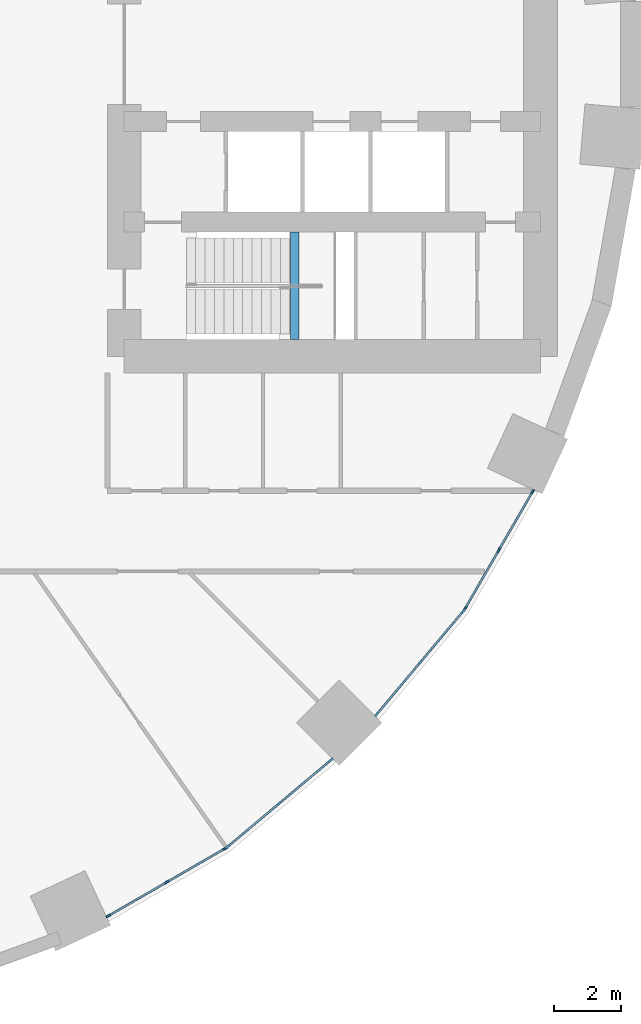
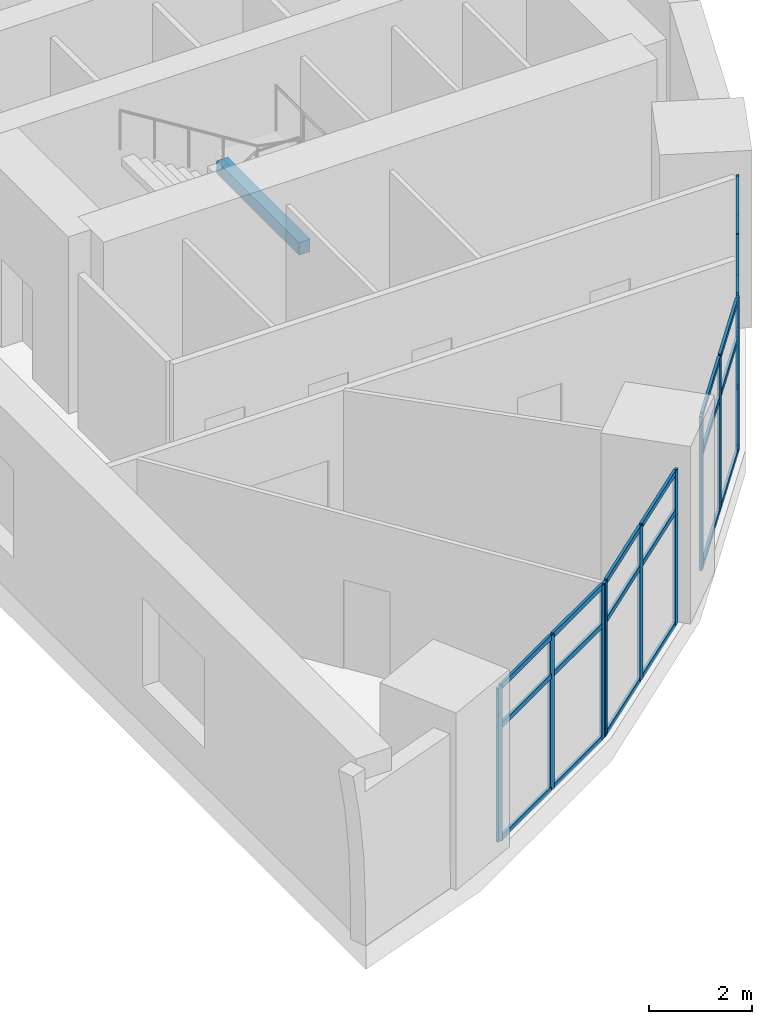
# One storey, part 3 of 13: 36 members, 1 beam, 4 elements without a shape of their own.
"""IFC4 building model written with IfcOpenShell, lengths in metres."""

from ifc_helpers import new_model, si_unit, direction, frame, origin, origin_2d, place, context, subcontext, project, spatial, rectangle, extrude, material, layer, layer_set, material_profile, profile_set, type_object, element, aggregate, save


model = new_model("IFC4")

# Units and contexts
model_context = context("Model", 3, precision=1e-05, world=origin(), true_north=direction((0.0, 1.0)))
body_context = subcontext(model_context, "Body", "Model", "MODEL_VIEW")
ifc_project = project(units=[si_unit("LENGTHUNIT", "METRE"), si_unit("AREAUNIT", "SQUARE_METRE"), si_unit("VOLUMEUNIT", "CUBIC_METRE"), si_unit("PLANEANGLEUNIT", "RADIAN"), si_unit("MASSUNIT", "GRAM", prefix="KILO")], contexts=[model_context])

# Site, building, storey
site_placement = place(None, origin())
site = spatial("IfcSite", under=ifc_project, at=site_placement, CompositionType="ELEMENT")
building_placement = place(site_placement, origin())
building = spatial("IfcBuilding", under=site, at=building_placement, Name="Saqina Gate Tower", CompositionType="ELEMENT")
storey_placement = place(building_placement, frame((0.0, 0.0, 5.0)))
storey = spatial("IfcBuildingStorey", under=building, at=storey_placement, Name="L01", CompositionType="ELEMENT", Elevation=5.0)

# Curtain wall, members
ifc_material_1 = material(Name="Aluminium glazing", Category="aluminium")
ifc_layer = layer(ifc_material_1, 0.159912109375)
ifc_layer_set = layer_set([ifc_layer], Name="CWT-1")
curtain_wall_type = type_object("IfcCurtainWallType", Name="CWT-1", PredefinedType="NOTDEFINED", material=ifc_layer_set)
curtain_wall_1_placement = place(storey_placement, origin())
curtain_wall_1 = element("IfcCurtainWall", 1, at=curtain_wall_1_placement, inside=storey, type_object=curtain_wall_type, Name="Podium shopfront facet 30", PredefinedType="NOTDEFINED")
ifc_material_2 = material(Name="Aluminium", Category="aluminium")
ifc_material_profile_1 = material_profile(ifc_material_2, rectangle(XDim=0.06005859375, YDim=0.159912109375, at=origin_2d()), Name="Aluminium 60x160")
ifc_profile_set_1 = profile_set([ifc_material_profile_1], Name="Aluminium")
member_type_1 = type_object("IfcMemberType", Name="CWT-1M", PredefinedType="MULLION", material=ifc_profile_set_1)
member_1_placement = place(storey_placement, frame((13.03466796875, -25.66015625, 0.0), z_axis=(0.0, 0.0, 1.0), x_axis=(-0.500013894893, 0.866017381415, 0.0)))
member_1 = element("IfcMember", 2, at=member_1_placement, type_object=member_type_1, Name="CW1-30 mullion 1", PredefinedType="MULLION", context=body_context, shape_type="SweptSolid", body=[
    extrude(rectangle(XDim=0.06005859375, YDim=0.159912109375, at=origin_2d()), origin(), (0.0, 0.0, 1.0), 3.64990234375),
])
member_2_placement = place(storey_placement, frame((14.770751953125, -24.65771484375, 0.0), z_axis=(0.0, 0.0, 1.0), x_axis=(-0.500013894893, 0.866017381415, 0.0)))
member_2 = element("IfcMember", 3, at=member_2_placement, type_object=member_type_1, Name="CW1-30 mullion 2", PredefinedType="MULLION", context=body_context, shape_type="SweptSolid", body=[
    extrude(rectangle(XDim=0.06005859375, YDim=0.159912109375, at=origin_2d()), origin(), (0.0, 0.0, 1.0), 3.64990234375),
])
member_3_placement = place(storey_placement, frame((16.5068359375, -23.655517578125, 0.0), z_axis=(0.0, 0.0, 1.0), x_axis=(-0.500013894893, 0.866017381415, 0.0)))
member_3 = element("IfcMember", 4, at=member_3_placement, type_object=member_type_1, Name="CW1-30 mullion 3", PredefinedType="MULLION", context=body_context, shape_type="SweptSolid", body=[
    extrude(rectangle(XDim=0.06005859375, YDim=0.159912109375, at=origin_2d()), origin(), (0.0, 0.0, 1.0), 3.64990234375),
])

curtain_wall_2_placement = place(storey_placement, origin())
curtain_wall_2 = element("IfcCurtainWall", 5, at=curtain_wall_2_placement, inside=storey, type_object=curtain_wall_type, Name="Podium shopfront facet 31", PredefinedType="NOTDEFINED")
member_4_placement = place(storey_placement, frame((16.583251953125, -23.601806640625, 0.0), z_axis=(0.0, 0.0, 1.0), x_axis=(-0.642779322911, 0.766051396473, 0.0)))
member_4 = element("IfcMember", 6, at=member_4_placement, type_object=member_type_1, Name="CW1-31 mullion 1", PredefinedType="MULLION", context=body_context, shape_type="SweptSolid", body=[
    extrude(rectangle(XDim=0.06005859375, YDim=0.159912109375, at=origin_2d()), origin(), (0.0, 0.0, 1.0), 3.64990234375),
])
member_5_placement = place(storey_placement, frame((18.118896484375, -22.3134765625, 0.0), z_axis=(0.0, 0.0, 1.0), x_axis=(-0.642779322911, 0.766051396473, 0.0)))
member_5 = element("IfcMember", 7, at=member_5_placement, type_object=member_type_1, Name="CW1-31 mullion 2", PredefinedType="MULLION", context=body_context, shape_type="SweptSolid", body=[
    extrude(rectangle(XDim=0.06005859375, YDim=0.159912109375, at=origin_2d()), origin(), (0.0, 0.0, 1.0), 3.64990234375),
])
member_6_placement = place(storey_placement, frame((19.654296875, -21.02490234375, 0.0), z_axis=(0.0, 0.0, 1.0), x_axis=(-0.642779322911, 0.766051396473, 0.0)))
member_6 = element("IfcMember", 8, at=member_6_placement, type_object=member_type_1, Name="CW1-31 mullion 3", PredefinedType="MULLION", context=body_context, shape_type="SweptSolid", body=[
    extrude(rectangle(XDim=0.06005859375, YDim=0.159912109375, at=origin_2d()), origin(), (0.0, 0.0, 1.0), 3.64990234375),
])

curtain_wall_3_placement = place(storey_placement, origin())
curtain_wall_3 = element("IfcCurtainWall", 9, at=curtain_wall_3_placement, inside=storey, type_object=curtain_wall_type, Name="Podium shopfront facet 32", PredefinedType="NOTDEFINED")
member_7_placement = place(storey_placement, frame((21.02490234375, -19.654296875, 0.0), z_axis=(0.0, 0.0, 1.0), x_axis=(-0.766051396473, 0.642779322911, 0.0)))
member_7 = element("IfcMember", 10, at=member_7_placement, type_object=member_type_1, Name="CW1-32 mullion 1", PredefinedType="MULLION", context=body_context, shape_type="SweptSolid", body=[
    extrude(rectangle(XDim=0.06005859375, YDim=0.159912109375, at=origin_2d()), origin(), (0.0, 0.0, 1.0), 3.64990234375),
])
member_8_placement = place(storey_placement, frame((22.3134765625, -18.118896484375, 0.0), z_axis=(0.0, 0.0, 1.0), x_axis=(-0.766051396473, 0.642779322911, 0.0)))
member_8 = element("IfcMember", 11, at=member_8_placement, type_object=member_type_1, Name="CW1-32 mullion 2", PredefinedType="MULLION", context=body_context, shape_type="SweptSolid", body=[
    extrude(rectangle(XDim=0.06005859375, YDim=0.159912109375, at=origin_2d()), origin(), (0.0, 0.0, 1.0), 3.64990234375),
])
member_9_placement = place(storey_placement, frame((23.601806640625, -16.583251953125, 0.0), z_axis=(0.0, 0.0, 1.0), x_axis=(-0.766051396473, 0.642779322911, 0.0)))
member_9 = element("IfcMember", 12, at=member_9_placement, type_object=member_type_1, Name="CW1-32 mullion 3", PredefinedType="MULLION", context=body_context, shape_type="SweptSolid", body=[
    extrude(rectangle(XDim=0.06005859375, YDim=0.159912109375, at=origin_2d()), origin(), (0.0, 0.0, 1.0), 3.64990234375),
])

curtain_wall_4_placement = place(storey_placement, origin())
curtain_wall_4 = element("IfcCurtainWall", 13, at=curtain_wall_4_placement, inside=storey, type_object=curtain_wall_type, Name="Podium shopfront facet 33", PredefinedType="NOTDEFINED")
member_10_placement = place(storey_placement, frame((23.655517578125, -16.5068359375, 0.0), z_axis=(0.0, 0.0, 1.0), x_axis=(-0.866017381415, 0.500013894893, 0.0)))
member_10 = element("IfcMember", 14, at=member_10_placement, type_object=member_type_1, Name="CW1-33 mullion 1", PredefinedType="MULLION", context=body_context, shape_type="SweptSolid", body=[
    extrude(rectangle(XDim=0.06005859375, YDim=0.159912109375, at=origin_2d()), origin(), (0.0, 0.0, 1.0), 3.64990234375),
])
member_11_placement = place(storey_placement, frame((24.65771484375, -14.770751953125, 0.0), z_axis=(0.0, 0.0, 1.0), x_axis=(-0.866017381415, 0.500013894893, 0.0)))
member_11 = element("IfcMember", 15, at=member_11_placement, type_object=member_type_1, Name="CW1-33 mullion 2", PredefinedType="MULLION", context=body_context, shape_type="SweptSolid", body=[
    extrude(rectangle(XDim=0.06005859375, YDim=0.159912109375, at=origin_2d()), origin(), (0.0, 0.0, 1.0), 3.64990234375),
])
member_12_placement = place(storey_placement, frame((25.66015625, -13.03466796875, 0.0), z_axis=(0.0, 0.0, 1.0), x_axis=(-0.866017381415, 0.500013894893, 0.0)))
member_12 = element("IfcMember", 16, at=member_12_placement, type_object=member_type_1, Name="CW1-33 mullion 3", PredefinedType="MULLION", context=body_context, shape_type="SweptSolid", body=[
    extrude(rectangle(XDim=0.06005859375, YDim=0.159912109375, at=origin_2d()), origin(), (0.0, 0.0, 1.0), 3.64990234375),
])

# Member
ifc_material_3 = material(Name="Aluminium", Category="aluminium")
ifc_material_profile_2 = material_profile(ifc_material_3, rectangle(XDim=0.06005859375, YDim=0.1201171875, at=origin_2d()), Name="Aluminium 60x120")
ifc_profile_set_2 = profile_set([ifc_material_profile_2], Name="Aluminium")
member_type_2 = type_object("IfcMemberType", Name="CWT-1T", PredefinedType="USERDEFINED", material=ifc_profile_set_2)
member_13_placement = place(storey_placement, frame((13.060791015625, -25.64501953125, 0.030029296875), z_axis=(0.866055964107, 0.499947064232, 0.0), x_axis=(-0.499947064232, 0.866055964107, 0.0)))
member_13 = element("IfcMember", 17, at=member_13_placement, type_object=member_type_2, Name="CW1-30 transom 1.1", ObjectType="TRANSOM", PredefinedType="USERDEFINED", context=body_context, shape_type="SweptSolid", body=[
    extrude(rectangle(XDim=0.06005859375, YDim=0.1201171875, at=origin_2d()), origin(), (0.0, 0.0, 1.0), 1.944580078125),
])

member_14_placement = place(storey_placement, frame((13.060791015625, -25.64501953125, 2.699951171875), z_axis=(0.866055964107, 0.499947064232, 0.0), x_axis=(-0.499947064232, 0.866055964107, 0.0)))
member_14 = element("IfcMember", 18, at=member_14_placement, type_object=member_type_2, Name="CW1-30 transom 1.2", ObjectType="TRANSOM", PredefinedType="USERDEFINED", context=body_context, shape_type="SweptSolid", body=[
    extrude(rectangle(XDim=0.06005859375, YDim=0.1201171875, at=origin_2d()), origin(), (0.0, 0.0, 1.0), 1.944580078125),
])

member_15_placement = place(storey_placement, frame((13.060791015625, -25.64501953125, 3.6201171875), z_axis=(0.866055964107, 0.499947064232, 0.0), x_axis=(-0.499947064232, 0.866055964107, 0.0)))
member_15 = element("IfcMember", 19, at=member_15_placement, type_object=member_type_2, Name="CW1-30 transom 1.3", ObjectType="TRANSOM", PredefinedType="USERDEFINED", context=body_context, shape_type="SweptSolid", body=[
    extrude(rectangle(XDim=0.06005859375, YDim=0.1201171875, at=origin_2d()), origin(), (0.0, 0.0, 1.0), 1.944580078125),
])

member_16_placement = place(storey_placement, frame((14.796630859375, -24.642822265625, 0.030029296875), z_axis=(0.866001600736, 0.500041225824, 0.0), x_axis=(-0.500041225824, 0.866001600736, 0.0)))
member_16 = element("IfcMember", 20, at=member_16_placement, type_object=member_type_2, Name="CW1-30 transom 2.1", ObjectType="TRANSOM", PredefinedType="USERDEFINED", context=body_context, shape_type="SweptSolid", body=[
    extrude(rectangle(XDim=0.06005859375, YDim=0.1201171875, at=origin_2d()), origin(), (0.0, 0.0, 1.0), 1.944580078125),
])

member_17_placement = place(storey_placement, frame((14.796630859375, -24.642822265625, 2.699951171875), z_axis=(0.866001600736, 0.500041225824, 0.0), x_axis=(-0.500041225824, 0.866001600736, 0.0)))
member_17 = element("IfcMember", 21, at=member_17_placement, type_object=member_type_2, Name="CW1-30 transom 2.2", ObjectType="TRANSOM", PredefinedType="USERDEFINED", context=body_context, shape_type="SweptSolid", body=[
    extrude(rectangle(XDim=0.06005859375, YDim=0.1201171875, at=origin_2d()), origin(), (0.0, 0.0, 1.0), 1.944580078125),
])

member_18_placement = place(storey_placement, frame((14.796630859375, -24.642822265625, 3.6201171875), z_axis=(0.866001600736, 0.500041225824, 0.0), x_axis=(-0.500041225824, 0.866001600736, 0.0)))
member_18 = element("IfcMember", 22, at=member_18_placement, type_object=member_type_2, Name="CW1-30 transom 2.3", ObjectType="TRANSOM", PredefinedType="USERDEFINED", context=body_context, shape_type="SweptSolid", body=[
    extrude(rectangle(XDim=0.06005859375, YDim=0.1201171875, at=origin_2d()), origin(), (0.0, 0.0, 1.0), 1.944580078125),
])

aggregate(curtain_wall_1, [member_1, member_2, member_3, member_13, member_14, member_15, member_16, member_17, member_18])

member_19_placement = place(storey_placement, frame((16.606201171875, -23.58251953125, 0.030029296875), z_axis=(0.766117756196, 0.642700228444, 0.0), x_axis=(-0.642700228444, 0.766117756196, 0.0)))
member_19 = element("IfcMember", 23, at=member_19_placement, type_object=member_type_2, Name="CW1-31 transom 1.1", ObjectType="TRANSOM", PredefinedType="USERDEFINED", context=body_context, shape_type="SweptSolid", body=[
    extrude(rectangle(XDim=0.06005859375, YDim=0.1201171875, at=origin_2d()), origin(), (0.0, 0.0, 1.0), 1.944580078125),
])

member_20_placement = place(storey_placement, frame((16.606201171875, -23.58251953125, 2.699951171875), z_axis=(0.766117756196, 0.642700228444, 0.0), x_axis=(-0.642700228444, 0.766117756196, 0.0)))
member_20 = element("IfcMember", 24, at=member_20_placement, type_object=member_type_2, Name="CW1-31 transom 1.2", ObjectType="TRANSOM", PredefinedType="USERDEFINED", context=body_context, shape_type="SweptSolid", body=[
    extrude(rectangle(XDim=0.06005859375, YDim=0.1201171875, at=origin_2d()), origin(), (0.0, 0.0, 1.0), 1.944580078125),
])

member_21_placement = place(storey_placement, frame((16.606201171875, -23.58251953125, 3.6201171875), z_axis=(0.766117756196, 0.642700228444, 0.0), x_axis=(-0.642700228444, 0.766117756196, 0.0)))
member_21 = element("IfcMember", 25, at=member_21_placement, type_object=member_type_2, Name="CW1-31 transom 1.3", ObjectType="TRANSOM", PredefinedType="USERDEFINED", context=body_context, shape_type="SweptSolid", body=[
    extrude(rectangle(XDim=0.06005859375, YDim=0.1201171875, at=origin_2d()), origin(), (0.0, 0.0, 1.0), 1.944580078125),
])

member_22_placement = place(storey_placement, frame((18.141845703125, -22.294189453125, 0.030029296875), z_axis=(0.76600406177, 0.642835731235, 0.0), x_axis=(-0.642835731235, 0.76600406177, 0.0)))
member_22 = element("IfcMember", 26, at=member_22_placement, type_object=member_type_2, Name="CW1-31 transom 2.1", ObjectType="TRANSOM", PredefinedType="USERDEFINED", context=body_context, shape_type="SweptSolid", body=[
    extrude(rectangle(XDim=0.06005859375, YDim=0.1201171875, at=origin_2d()), origin(), (0.0, 0.0, 1.0), 1.944580078125),
])

member_23_placement = place(storey_placement, frame((18.141845703125, -22.294189453125, 2.699951171875), z_axis=(0.76600406177, 0.642835731235, 0.0), x_axis=(-0.642835731235, 0.76600406177, 0.0)))
member_23 = element("IfcMember", 27, at=member_23_placement, type_object=member_type_2, Name="CW1-31 transom 2.2", ObjectType="TRANSOM", PredefinedType="USERDEFINED", context=body_context, shape_type="SweptSolid", body=[
    extrude(rectangle(XDim=0.06005859375, YDim=0.1201171875, at=origin_2d()), origin(), (0.0, 0.0, 1.0), 1.944580078125),
])

member_24_placement = place(storey_placement, frame((18.141845703125, -22.294189453125, 3.6201171875), z_axis=(0.76600406177, 0.642835731235, 0.0), x_axis=(-0.642835731235, 0.76600406177, 0.0)))
member_24 = element("IfcMember", 28, at=member_24_placement, type_object=member_type_2, Name="CW1-31 transom 2.3", ObjectType="TRANSOM", PredefinedType="USERDEFINED", context=body_context, shape_type="SweptSolid", body=[
    extrude(rectangle(XDim=0.06005859375, YDim=0.1201171875, at=origin_2d()), origin(), (0.0, 0.0, 1.0), 1.944580078125),
])

aggregate(curtain_wall_2, [member_4, member_5, member_6, member_19, member_20, member_21, member_22, member_23, member_24])

member_25_placement = place(storey_placement, frame((21.044189453125, -19.63134765625, 0.030029296875), z_axis=(0.642835731235, 0.76600406177, 0.0), x_axis=(-0.76600406177, 0.642835731235, 0.0)))
member_25 = element("IfcMember", 29, at=member_25_placement, type_object=member_type_2, Name="CW1-32 transom 1.1", ObjectType="TRANSOM", PredefinedType="USERDEFINED", context=body_context, shape_type="SweptSolid", body=[
    extrude(rectangle(XDim=0.06005859375, YDim=0.1201171875, at=origin_2d()), origin(), (0.0, 0.0, 1.0), 1.944580078125),
])

member_26_placement = place(storey_placement, frame((21.044189453125, -19.63134765625, 2.699951171875), z_axis=(0.642835731235, 0.76600406177, 0.0), x_axis=(-0.76600406177, 0.642835731235, 0.0)))
member_26 = element("IfcMember", 30, at=member_26_placement, type_object=member_type_2, Name="CW1-32 transom 1.2", ObjectType="TRANSOM", PredefinedType="USERDEFINED", context=body_context, shape_type="SweptSolid", body=[
    extrude(rectangle(XDim=0.06005859375, YDim=0.1201171875, at=origin_2d()), origin(), (0.0, 0.0, 1.0), 1.944580078125),
])

member_27_placement = place(storey_placement, frame((21.044189453125, -19.63134765625, 3.6201171875), z_axis=(0.642835731235, 0.76600406177, 0.0), x_axis=(-0.76600406177, 0.642835731235, 0.0)))
member_27 = element("IfcMember", 31, at=member_27_placement, type_object=member_type_2, Name="CW1-32 transom 1.3", ObjectType="TRANSOM", PredefinedType="USERDEFINED", context=body_context, shape_type="SweptSolid", body=[
    extrude(rectangle(XDim=0.06005859375, YDim=0.1201171875, at=origin_2d()), origin(), (0.0, 0.0, 1.0), 1.944580078125),
])

member_28_placement = place(storey_placement, frame((22.332763671875, -18.095947265625, 0.030029296875), z_axis=(0.642700228444, 0.766117756196, 0.0), x_axis=(-0.766117756196, 0.642700228444, 0.0)))
member_28 = element("IfcMember", 32, at=member_28_placement, type_object=member_type_2, Name="CW1-32 transom 2.1", ObjectType="TRANSOM", PredefinedType="USERDEFINED", context=body_context, shape_type="SweptSolid", body=[
    extrude(rectangle(XDim=0.06005859375, YDim=0.1201171875, at=origin_2d()), origin(), (0.0, 0.0, 1.0), 1.944580078125),
])

member_29_placement = place(storey_placement, frame((22.332763671875, -18.095947265625, 2.699951171875), z_axis=(0.642700228444, 0.766117756196, 0.0), x_axis=(-0.766117756196, 0.642700228444, 0.0)))
member_29 = element("IfcMember", 33, at=member_29_placement, type_object=member_type_2, Name="CW1-32 transom 2.2", ObjectType="TRANSOM", PredefinedType="USERDEFINED", context=body_context, shape_type="SweptSolid", body=[
    extrude(rectangle(XDim=0.06005859375, YDim=0.1201171875, at=origin_2d()), origin(), (0.0, 0.0, 1.0), 1.944580078125),
])

member_30_placement = place(storey_placement, frame((22.332763671875, -18.095947265625, 3.6201171875), z_axis=(0.642700228444, 0.766117756196, 0.0), x_axis=(-0.766117756196, 0.642700228444, 0.0)))
member_30 = element("IfcMember", 34, at=member_30_placement, type_object=member_type_2, Name="CW1-32 transom 2.3", ObjectType="TRANSOM", PredefinedType="USERDEFINED", context=body_context, shape_type="SweptSolid", body=[
    extrude(rectangle(XDim=0.06005859375, YDim=0.1201171875, at=origin_2d()), origin(), (0.0, 0.0, 1.0), 1.944580078125),
])

aggregate(curtain_wall_3, [member_7, member_8, member_9, member_25, member_26, member_27, member_28, member_29, member_30])

member_31_placement = place(storey_placement, frame((23.67041015625, -16.480712890625, 0.030029296875), z_axis=(0.500041225824, 0.866001600736, 0.0), x_axis=(-0.866001600736, 0.500041225824, 0.0)))
member_31 = element("IfcMember", 35, at=member_31_placement, type_object=member_type_2, Name="CW1-33 transom 1.1", ObjectType="TRANSOM", PredefinedType="USERDEFINED", context=body_context, shape_type="SweptSolid", body=[
    extrude(rectangle(XDim=0.06005859375, YDim=0.1201171875, at=origin_2d()), origin(), (0.0, 0.0, 1.0), 1.944580078125),
])

member_32_placement = place(storey_placement, frame((23.67041015625, -16.480712890625, 2.699951171875), z_axis=(0.500041225824, 0.866001600736, 0.0), x_axis=(-0.866001600736, 0.500041225824, 0.0)))
member_32 = element("IfcMember", 36, at=member_32_placement, type_object=member_type_2, Name="CW1-33 transom 1.2", ObjectType="TRANSOM", PredefinedType="USERDEFINED", context=body_context, shape_type="SweptSolid", body=[
    extrude(rectangle(XDim=0.06005859375, YDim=0.1201171875, at=origin_2d()), origin(), (0.0, 0.0, 1.0), 1.944580078125),
])

member_33_placement = place(storey_placement, frame((23.67041015625, -16.480712890625, 3.6201171875), z_axis=(0.500041225824, 0.866001600736, 0.0), x_axis=(-0.866001600736, 0.500041225824, 0.0)))
member_33 = element("IfcMember", 37, at=member_33_placement, type_object=member_type_2, Name="CW1-33 transom 1.3", ObjectType="TRANSOM", PredefinedType="USERDEFINED", context=body_context, shape_type="SweptSolid", body=[
    extrude(rectangle(XDim=0.06005859375, YDim=0.1201171875, at=origin_2d()), origin(), (0.0, 0.0, 1.0), 1.944580078125),
])

member_34_placement = place(storey_placement, frame((24.6728515625, -14.744873046875, 0.030029296875), z_axis=(0.499947064232, 0.866055964107, 0.0), x_axis=(-0.866055964107, 0.499947064232, 0.0)))
member_34 = element("IfcMember", 38, at=member_34_placement, type_object=member_type_2, Name="CW1-33 transom 2.1", ObjectType="TRANSOM", PredefinedType="USERDEFINED", context=body_context, shape_type="SweptSolid", body=[
    extrude(rectangle(XDim=0.06005859375, YDim=0.1201171875, at=origin_2d()), origin(), (0.0, 0.0, 1.0), 1.944580078125),
])

member_35_placement = place(storey_placement, frame((24.6728515625, -14.744873046875, 2.699951171875), z_axis=(0.499947064232, 0.866055964107, 0.0), x_axis=(-0.866055964107, 0.499947064232, 0.0)))
member_35 = element("IfcMember", 39, at=member_35_placement, type_object=member_type_2, Name="CW1-33 transom 2.2", ObjectType="TRANSOM", PredefinedType="USERDEFINED", context=body_context, shape_type="SweptSolid", body=[
    extrude(rectangle(XDim=0.06005859375, YDim=0.1201171875, at=origin_2d()), origin(), (0.0, 0.0, 1.0), 1.944580078125),
])

member_36_placement = place(storey_placement, frame((24.6728515625, -14.744873046875, 3.6201171875), z_axis=(0.499947064232, 0.866055964107, 0.0), x_axis=(-0.866055964107, 0.499947064232, 0.0)))
member_36 = element("IfcMember", 40, at=member_36_placement, type_object=member_type_2, Name="CW1-33 transom 2.3", ObjectType="TRANSOM", PredefinedType="USERDEFINED", context=body_context, shape_type="SweptSolid", body=[
    extrude(rectangle(XDim=0.06005859375, YDim=0.1201171875, at=origin_2d()), origin(), (0.0, 0.0, 1.0), 1.944580078125),
])

aggregate(curtain_wall_4, [member_10, member_11, member_12, member_31, member_32, member_33, member_34, member_35, member_36])

# Beam
ifc_material_4 = material(Name="Concrete C40/50", Category="concrete")
ifc_material_profile_3 = material_profile(ifc_material_4, rectangle(XDim=0.25, YDim=0.300048828125, at=origin_2d()), Name="STAIR LANDING BEAM")
ifc_profile_set_3 = profile_set([ifc_material_profile_3], Name="Concrete C40/50")
beam_type = type_object("IfcBeamType", Name="STAIR LANDING BEAM", PredefinedType="BEAM", material=ifc_profile_set_3)
beam_placement = place(storey_placement, frame((18.580078125, -8.5, 1.699951171875), z_axis=(0.0, 1.0, 0.0), x_axis=(-1.0, 0.0, 0.0)))
element("IfcBeam", 41, at=beam_placement, inside=storey, type_object=beam_type, Name="EXIT STAIR 2 LANDING BEAM", PredefinedType="BEAM", context=body_context, shape_type="SweptSolid", body=[
    extrude(rectangle(XDim=0.25, YDim=0.300048828125, at=origin_2d()), origin(), (0.0, 0.0, 1.0), 3.199951171875),
])

save(model, "model.ifc")
